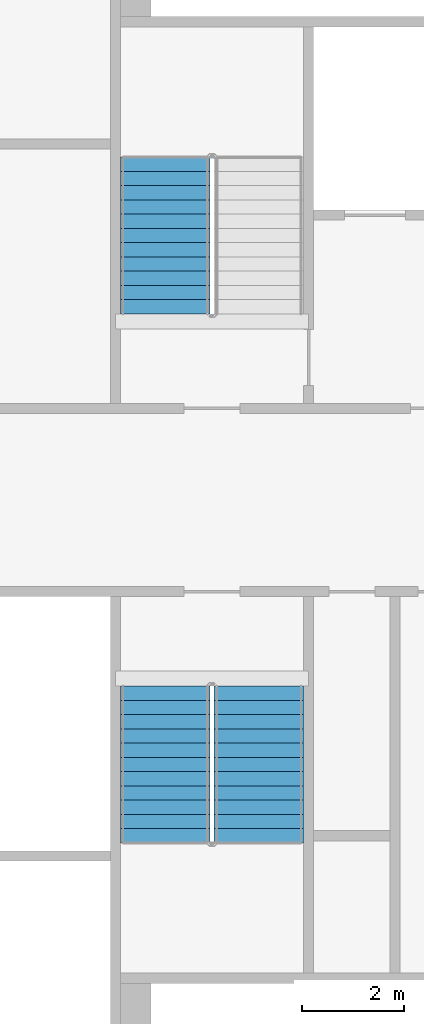
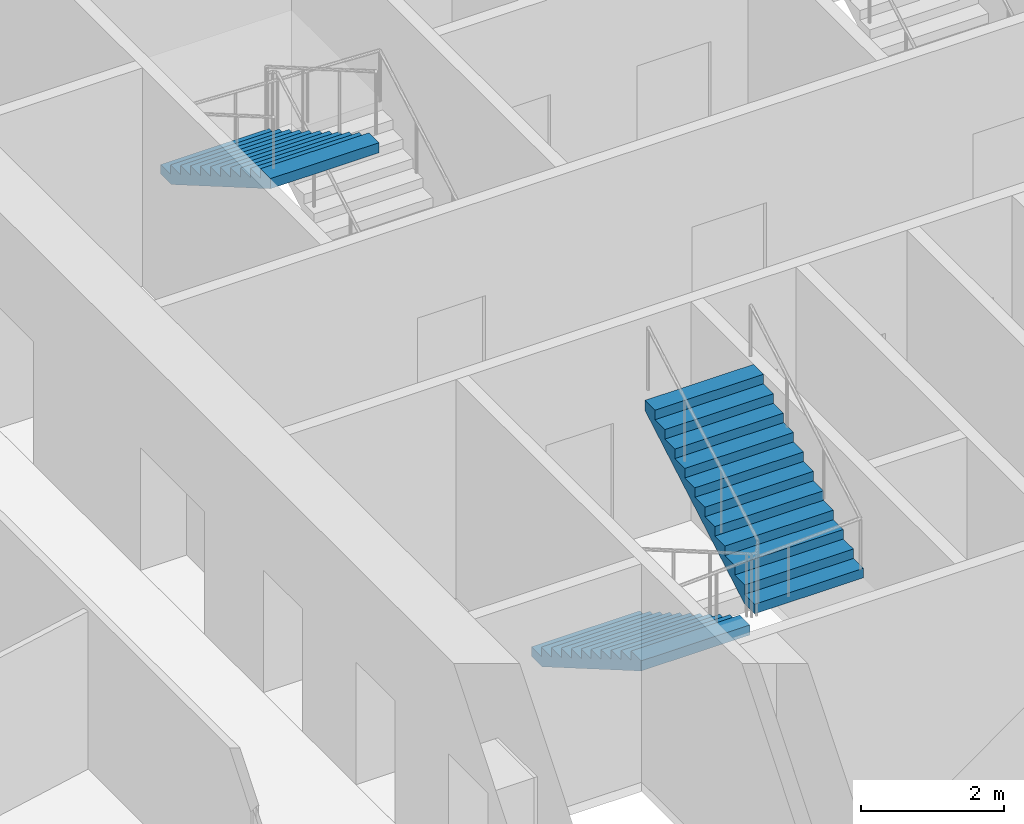
# One storey, part 14 of 22: 3 stair flights, 2 elements without a shape of their own.
"""IFC4 building model written with IfcOpenShell, lengths in metres."""

from ifc_helpers import new_model, si_unit, direction, frame, origin, place, context, subcontext, project, spatial, faceted_brep, material, type_object, element, aggregate, save


model = new_model("IFC4")

# Units and contexts
model_context = context("Model", 3, precision=1e-05, world=origin(), true_north=direction((0.0, 1.0)))
body_context = subcontext(model_context, "Body", "Model", "MODEL_VIEW")
ifc_project = project(units=[si_unit("LENGTHUNIT", "METRE"), si_unit("AREAUNIT", "SQUARE_METRE"), si_unit("VOLUMEUNIT", "CUBIC_METRE"), si_unit("PLANEANGLEUNIT", "RADIAN"), si_unit("MASSUNIT", "GRAM", prefix="KILO")], contexts=[model_context])

# Site, building, storey
site_placement = place(None, origin())
site = spatial("IfcSite", under=ifc_project, at=site_placement, CompositionType="ELEMENT")
building_placement = place(site_placement, origin())
building = spatial("IfcBuilding", under=site, at=building_placement, Name="Tarsis Ring Headquarters", CompositionType="ELEMENT")
storey_placement = place(building_placement, frame((0.0, 0.0, 108.39990234375)))
storey = spatial("IfcBuildingStorey", under=building, at=storey_placement, Name="L24", CompositionType="ELEMENT", Elevation=108.39990234375)

# Stair, stair flight
ifc_material_1 = material(Name="Core stair 1760")
stair_type = type_object("IfcStairType", Name="Core stair 1760", PredefinedType="HALF_TURN_STAIR", material=ifc_material_1)
stair_1_placement = place(storey_placement, origin())
stair_1 = element("IfcStair", 1, at=stair_1_placement, inside=storey, type_object=stair_type, Name="L24 Firefighting stair", PredefinedType="HALF_TURN_STAIR")
ifc_material_2 = material(Name="Concrete C40/50", Category="concrete")
stair_flight_type = type_object("IfcStairFlightType", Name="Core stair flight 1760", PredefinedType="STRAIGHT", material=ifc_material_2)
stair_flight_1_placement = place(storey_placement, frame((-5.419921875, 6.739990234375, 1.9501953125), z_axis=(0.0, 0.0, 1.0), x_axis=(0.0, -1.0, 0.0)))
stair_flight_1 = element("IfcStairFlight", 2, at=stair_flight_1_placement, type_object=stair_flight_type, Name="Stair ST1 flight 2", NumberOfRisers=12, NumberOfTreads=11, PredefinedType="STRAIGHT", RiserHeight=0.1625, TreadLength=0.28, context=body_context, shape_type="Brep", body=[
    faceted_brep([(0.0, 0.8798828125, 0.0), (0.0, 0.8798828125, 0.16259765625), (0.280029296875, 0.8798828125, 0.16259765625), (0.280029296875, 0.8798828125, 0.324951171875), (0.56005859375, 0.8798828125, 0.324951171875), (0.56005859375, 0.8798828125, 0.487548828125), (0.840087890625, 0.8798828125, 0.487548828125), (0.840087890625, 0.8798828125, 0.64990234375), (1.1201171875, 0.8798828125, 0.64990234375), (1.1201171875, 0.8798828125, 0.8125), (1.39990234375, 0.8798828125, 0.8125), (1.39990234375, 0.8798828125, 0.97509765625), (1.679931640625, 0.8798828125, 0.97509765625), (1.679931640625, 0.8798828125, 1.137451171875), (1.9599609375, 0.8798828125, 1.137451171875), (1.9599609375, 0.8798828125, 1.300048828125), (2.239990234375, 0.8798828125, 1.300048828125), (2.239990234375, 0.8798828125, 1.46240234375), (2.52001953125, 0.8798828125, 1.46240234375), (2.52001953125, 0.8798828125, 1.625), (2.800048828125, 0.8798828125, 1.625), (2.800048828125, 0.8798828125, 1.78759765625), (3.080078125, 0.8798828125, 1.78759765625), (3.080078125, 0.8798828125, 1.6142578125), (0.298583984375, 0.8798828125, 0.0), (0.298583984375, -0.8798828125, 0.0), (3.080078125, -0.8798828125, 1.6142578125), (3.080078125, -0.8798828125, 1.78759765625), (2.800048828125, -0.8798828125, 1.78759765625), (2.800048828125, -0.8798828125, 1.625), (2.52001953125, -0.8798828125, 1.625), (2.52001953125, -0.8798828125, 1.46240234375), (2.239990234375, -0.8798828125, 1.46240234375), (2.239990234375, -0.8798828125, 1.300048828125), (1.9599609375, -0.8798828125, 1.300048828125), (1.9599609375, -0.8798828125, 1.137451171875), (1.679931640625, -0.8798828125, 1.137451171875), (1.679931640625, -0.8798828125, 0.97509765625), (1.39990234375, -0.8798828125, 0.97509765625), (1.39990234375, -0.8798828125, 0.8125), (1.1201171875, -0.8798828125, 0.8125), (1.1201171875, -0.8798828125, 0.64990234375), (0.840087890625, -0.8798828125, 0.64990234375), (0.840087890625, -0.8798828125, 0.487548828125), (0.56005859375, -0.8798828125, 0.487548828125), (0.56005859375, -0.8798828125, 0.324951171875), (0.280029296875, -0.8798828125, 0.324951171875), (0.280029296875, -0.8798828125, 0.16259765625), (0.0, -0.8798828125, 0.16259765625), (0.0, -0.8798828125, 0.0), (0.0, -0.43994140625, 0.16259765625), (0.0, -0.43994140625, 0.0), (0.0, 0.0, 0.16259765625), (0.0, 0.0, 0.0), (0.0, 0.43994140625, 0.16259765625), (0.0, 0.43994140625, 0.0), (0.280029296875, -0.43994140625, 0.16259765625), (0.280029296875, 0.0, 0.16259765625), (0.280029296875, 0.43994140625, 0.16259765625), (0.280029296875, -0.43994140625, 0.324951171875), (0.280029296875, 0.0, 0.324951171875), (0.280029296875, 0.43994140625, 0.324951171875), (0.56005859375, -0.43994140625, 0.324951171875), (0.56005859375, 0.0, 0.324951171875), (0.56005859375, 0.43994140625, 0.324951171875), (0.56005859375, -0.43994140625, 0.487548828125), (0.56005859375, 0.0, 0.487548828125), (0.56005859375, 0.43994140625, 0.487548828125), (0.840087890625, -0.43994140625, 0.487548828125), (0.840087890625, 0.0, 0.487548828125), (0.840087890625, 0.43994140625, 0.487548828125), (0.840087890625, -0.43994140625, 0.64990234375), (0.840087890625, 0.0, 0.64990234375), (0.840087890625, 0.43994140625, 0.64990234375), (1.1201171875, -0.43994140625, 0.64990234375), (1.1201171875, 0.0, 0.64990234375), (1.1201171875, 0.43994140625, 0.64990234375), (1.1201171875, -0.43994140625, 0.8125), (1.1201171875, 0.0, 0.8125), (1.1201171875, 0.43994140625, 0.8125), (1.39990234375, -0.43994140625, 0.8125), (1.39990234375, 0.0, 0.8125), (1.39990234375, 0.43994140625, 0.8125), (1.39990234375, -0.43994140625, 0.97509765625), (1.39990234375, 0.0, 0.97509765625), (1.39990234375, 0.43994140625, 0.97509765625), (1.679931640625, -0.43994140625, 0.97509765625), (1.679931640625, 0.0, 0.97509765625), (1.679931640625, 0.43994140625, 0.97509765625), (1.679931640625, -0.43994140625, 1.137451171875), (1.679931640625, 0.0, 1.137451171875), (1.679931640625, 0.43994140625, 1.137451171875), (1.9599609375, -0.43994140625, 1.137451171875), (1.9599609375, 0.0, 1.137451171875), (1.9599609375, 0.43994140625, 1.137451171875), (1.9599609375, -0.43994140625, 1.300048828125), (1.9599609375, 0.0, 1.300048828125), (1.9599609375, 0.43994140625, 1.300048828125), (2.239990234375, -0.43994140625, 1.300048828125), (2.239990234375, 0.0, 1.300048828125), (2.239990234375, 0.43994140625, 1.300048828125), (2.239990234375, -0.43994140625, 1.46240234375), (2.239990234375, 0.0, 1.46240234375), (2.239990234375, 0.43994140625, 1.46240234375), (2.52001953125, -0.43994140625, 1.46240234375), (2.52001953125, 0.0, 1.46240234375), (2.52001953125, 0.43994140625, 1.46240234375), (2.52001953125, -0.43994140625, 1.625), (2.52001953125, 0.0, 1.625), (2.52001953125, 0.43994140625, 1.625), (2.800048828125, -0.43994140625, 1.625), (2.800048828125, 0.0, 1.625), (2.800048828125, 0.43994140625, 1.625), (2.800048828125, -0.43994140625, 1.78759765625), (2.800048828125, 0.0, 1.78759765625), (2.800048828125, 0.43994140625, 1.78759765625), (3.080078125, -0.43994140625, 1.78759765625), (3.080078125, 0.0, 1.78759765625), (3.080078125, 0.43994140625, 1.78759765625), (3.080078125, -0.43994140625, 1.6142578125), (3.080078125, 0.0, 1.6142578125), (3.080078125, 0.43994140625, 1.6142578125), (0.298583984375, -0.43994140625, 0.0), (0.298583984375, 0.0, 0.0), (0.298583984375, 0.43994140625, 0.0)], [[[0, 1, 2, 3, 4, 5, 6, 7, 8, 9, 10, 11, 12, 13, 14, 15, 16, 17, 18, 19, 20, 21, 22, 23, 24]], [[25, 26, 27, 28, 29, 30, 31, 32, 33, 34, 35, 36, 37, 38, 39, 40, 41, 42, 43, 44, 45, 46, 47, 48, 49]], [[49, 48, 50, 51]], [[51, 50, 52, 53]], [[53, 52, 54, 55]], [[55, 54, 1, 0]], [[48, 47, 56, 50]], [[50, 56, 57, 52]], [[52, 57, 58, 54]], [[54, 58, 2, 1]], [[47, 46, 59, 56]], [[56, 59, 60, 57]], [[57, 60, 61, 58]], [[58, 61, 3, 2]], [[46, 45, 62, 59]], [[59, 62, 63, 60]], [[60, 63, 64, 61]], [[61, 64, 4, 3]], [[45, 44, 65, 62]], [[62, 65, 66, 63]], [[63, 66, 67, 64]], [[64, 67, 5, 4]], [[44, 43, 68, 65]], [[65, 68, 69, 66]], [[66, 69, 70, 67]], [[67, 70, 6, 5]], [[43, 42, 71, 68]], [[68, 71, 72, 69]], [[69, 72, 73, 70]], [[70, 73, 7, 6]], [[42, 41, 74, 71]], [[71, 74, 75, 72]], [[72, 75, 76, 73]], [[73, 76, 8, 7]], [[41, 40, 77, 74]], [[74, 77, 78, 75]], [[75, 78, 79, 76]], [[76, 79, 9, 8]], [[40, 39, 80, 77]], [[77, 80, 81, 78]], [[78, 81, 82, 79]], [[79, 82, 10, 9]], [[39, 38, 83, 80]], [[80, 83, 84, 81]], [[81, 84, 85, 82]], [[82, 85, 11, 10]], [[38, 37, 86, 83]], [[83, 86, 87, 84]], [[84, 87, 88, 85]], [[85, 88, 12, 11]], [[37, 36, 89, 86]], [[86, 89, 90, 87]], [[87, 90, 91, 88]], [[88, 91, 13, 12]], [[36, 35, 92, 89]], [[89, 92, 93, 90]], [[90, 93, 94, 91]], [[91, 94, 14, 13]], [[35, 34, 95, 92]], [[92, 95, 96, 93]], [[93, 96, 97, 94]], [[94, 97, 15, 14]], [[34, 33, 98, 95]], [[95, 98, 99, 96]], [[96, 99, 100, 97]], [[97, 100, 16, 15]], [[33, 32, 101, 98]], [[98, 101, 102, 99]], [[99, 102, 103, 100]], [[100, 103, 17, 16]], [[32, 31, 104, 101]], [[101, 104, 105, 102]], [[102, 105, 106, 103]], [[103, 106, 18, 17]], [[31, 30, 107, 104]], [[104, 107, 108, 105]], [[105, 108, 109, 106]], [[106, 109, 19, 18]], [[30, 29, 110, 107]], [[107, 110, 111, 108]], [[108, 111, 112, 109]], [[109, 112, 20, 19]], [[29, 28, 113, 110]], [[110, 113, 114, 111]], [[111, 114, 115, 112]], [[112, 115, 21, 20]], [[28, 27, 116, 113]], [[113, 116, 117, 114]], [[114, 117, 118, 115]], [[115, 118, 22, 21]], [[27, 26, 119, 116]], [[116, 119, 120, 117]], [[117, 120, 121, 118]], [[118, 121, 23, 22]], [[26, 25, 122, 119]], [[119, 122, 123, 120]], [[120, 123, 124, 121]], [[121, 124, 24, 23]], [[25, 49, 51, 122]], [[122, 51, 53, 123]], [[123, 53, 55, 124]], [[124, 55, 0, 24]]]),
])
aggregate(stair_1, [stair_flight_1])

# Stair, stair flights
stair_2_placement = place(storey_placement, origin())
stair_2 = element("IfcStair", 3, at=stair_2_placement, inside=storey, type_object=stair_type, Name="L24 Exit stair C", PredefinedType="HALF_TURN_STAIR")
stair_flight_2_placement = place(storey_placement, frame((-5.419921875, -3.659912109375, 0.0), z_axis=(0.0, 0.0, 1.0), x_axis=(0.0, -1.0, 0.0)))
stair_flight_2 = element("IfcStairFlight", 4, at=stair_flight_2_placement, type_object=stair_flight_type, Name="Stair ST3 flight 1", NumberOfRisers=12, NumberOfTreads=11, PredefinedType="STRAIGHT", RiserHeight=0.1625, TreadLength=0.28, context=body_context, shape_type="Brep", body=[
    faceted_brep([(0.0, 0.8798828125, 0.0), (0.0, 0.8798828125, 0.16259765625), (0.280029296875, 0.8798828125, 0.16259765625), (0.280029296875, 0.8798828125, 0.324951171875), (0.56005859375, 0.8798828125, 0.324951171875), (0.56005859375, 0.8798828125, 0.487548828125), (0.840087890625, 0.8798828125, 0.487548828125), (0.840087890625, 0.8798828125, 0.64990234375), (1.1201171875, 0.8798828125, 0.64990234375), (1.1201171875, 0.8798828125, 0.8125), (1.39990234375, 0.8798828125, 0.8125), (1.39990234375, 0.8798828125, 0.97509765625), (1.679931640625, 0.8798828125, 0.97509765625), (1.679931640625, 0.8798828125, 1.137451171875), (1.9599609375, 0.8798828125, 1.137451171875), (1.9599609375, 0.8798828125, 1.300048828125), (2.239990234375, 0.8798828125, 1.300048828125), (2.239990234375, 0.8798828125, 1.46240234375), (2.52001953125, 0.8798828125, 1.46240234375), (2.52001953125, 0.8798828125, 1.625), (2.800048828125, 0.8798828125, 1.625), (2.800048828125, 0.8798828125, 1.78759765625), (3.080078125, 0.8798828125, 1.78759765625), (3.080078125, 0.8798828125, 1.6142578125), (0.298583984375, 0.8798828125, 0.0), (0.298583984375, -0.8798828125, 0.0), (3.080078125, -0.8798828125, 1.6142578125), (3.080078125, -0.8798828125, 1.78759765625), (2.800048828125, -0.8798828125, 1.78759765625), (2.800048828125, -0.8798828125, 1.625), (2.52001953125, -0.8798828125, 1.625), (2.52001953125, -0.8798828125, 1.46240234375), (2.239990234375, -0.8798828125, 1.46240234375), (2.239990234375, -0.8798828125, 1.300048828125), (1.9599609375, -0.8798828125, 1.300048828125), (1.9599609375, -0.8798828125, 1.137451171875), (1.679931640625, -0.8798828125, 1.137451171875), (1.679931640625, -0.8798828125, 0.97509765625), (1.39990234375, -0.8798828125, 0.97509765625), (1.39990234375, -0.8798828125, 0.8125), (1.1201171875, -0.8798828125, 0.8125), (1.1201171875, -0.8798828125, 0.64990234375), (0.840087890625, -0.8798828125, 0.64990234375), (0.840087890625, -0.8798828125, 0.487548828125), (0.56005859375, -0.8798828125, 0.487548828125), (0.56005859375, -0.8798828125, 0.324951171875), (0.280029296875, -0.8798828125, 0.324951171875), (0.280029296875, -0.8798828125, 0.16259765625), (0.0, -0.8798828125, 0.16259765625), (0.0, -0.8798828125, 0.0), (0.0, -0.43994140625, 0.16259765625), (0.0, -0.43994140625, 0.0), (0.0, 0.0, 0.16259765625), (0.0, 0.0, 0.0), (0.0, 0.43994140625, 0.16259765625), (0.0, 0.43994140625, 0.0), (0.280029296875, -0.43994140625, 0.16259765625), (0.280029296875, 0.0, 0.16259765625), (0.280029296875, 0.43994140625, 0.16259765625), (0.280029296875, -0.43994140625, 0.324951171875), (0.280029296875, 0.0, 0.324951171875), (0.280029296875, 0.43994140625, 0.324951171875), (0.56005859375, -0.43994140625, 0.324951171875), (0.56005859375, 0.0, 0.324951171875), (0.56005859375, 0.43994140625, 0.324951171875), (0.56005859375, -0.43994140625, 0.487548828125), (0.56005859375, 0.0, 0.487548828125), (0.56005859375, 0.43994140625, 0.487548828125), (0.840087890625, -0.43994140625, 0.487548828125), (0.840087890625, 0.0, 0.487548828125), (0.840087890625, 0.43994140625, 0.487548828125), (0.840087890625, -0.43994140625, 0.64990234375), (0.840087890625, 0.0, 0.64990234375), (0.840087890625, 0.43994140625, 0.64990234375), (1.1201171875, -0.43994140625, 0.64990234375), (1.1201171875, 0.0, 0.64990234375), (1.1201171875, 0.43994140625, 0.64990234375), (1.1201171875, -0.43994140625, 0.8125), (1.1201171875, 0.0, 0.8125), (1.1201171875, 0.43994140625, 0.8125), (1.39990234375, -0.43994140625, 0.8125), (1.39990234375, 0.0, 0.8125), (1.39990234375, 0.43994140625, 0.8125), (1.39990234375, -0.43994140625, 0.97509765625), (1.39990234375, 0.0, 0.97509765625), (1.39990234375, 0.43994140625, 0.97509765625), (1.679931640625, -0.43994140625, 0.97509765625), (1.679931640625, 0.0, 0.97509765625), (1.679931640625, 0.43994140625, 0.97509765625), (1.679931640625, -0.43994140625, 1.137451171875), (1.679931640625, 0.0, 1.137451171875), (1.679931640625, 0.43994140625, 1.137451171875), (1.9599609375, -0.43994140625, 1.137451171875), (1.9599609375, 0.0, 1.137451171875), (1.9599609375, 0.43994140625, 1.137451171875), (1.9599609375, -0.43994140625, 1.300048828125), (1.9599609375, 0.0, 1.300048828125), (1.9599609375, 0.43994140625, 1.300048828125), (2.239990234375, -0.43994140625, 1.300048828125), (2.239990234375, 0.0, 1.300048828125), (2.239990234375, 0.43994140625, 1.300048828125), (2.239990234375, -0.43994140625, 1.46240234375), (2.239990234375, 0.0, 1.46240234375), (2.239990234375, 0.43994140625, 1.46240234375), (2.52001953125, -0.43994140625, 1.46240234375), (2.52001953125, 0.0, 1.46240234375), (2.52001953125, 0.43994140625, 1.46240234375), (2.52001953125, -0.43994140625, 1.625), (2.52001953125, 0.0, 1.625), (2.52001953125, 0.43994140625, 1.625), (2.800048828125, -0.43994140625, 1.625), (2.800048828125, 0.0, 1.625), (2.800048828125, 0.43994140625, 1.625), (2.800048828125, -0.43994140625, 1.78759765625), (2.800048828125, 0.0, 1.78759765625), (2.800048828125, 0.43994140625, 1.78759765625), (3.080078125, -0.43994140625, 1.78759765625), (3.080078125, 0.0, 1.78759765625), (3.080078125, 0.43994140625, 1.78759765625), (3.080078125, -0.43994140625, 1.6142578125), (3.080078125, 0.0, 1.6142578125), (3.080078125, 0.43994140625, 1.6142578125), (0.298583984375, -0.43994140625, 0.0), (0.298583984375, 0.0, 0.0), (0.298583984375, 0.43994140625, 0.0)], [[[0, 1, 2, 3, 4, 5, 6, 7, 8, 9, 10, 11, 12, 13, 14, 15, 16, 17, 18, 19, 20, 21, 22, 23, 24]], [[25, 26, 27, 28, 29, 30, 31, 32, 33, 34, 35, 36, 37, 38, 39, 40, 41, 42, 43, 44, 45, 46, 47, 48, 49]], [[49, 48, 50, 51]], [[51, 50, 52, 53]], [[53, 52, 54, 55]], [[55, 54, 1, 0]], [[48, 47, 56, 50]], [[50, 56, 57, 52]], [[52, 57, 58, 54]], [[54, 58, 2, 1]], [[47, 46, 59, 56]], [[56, 59, 60, 57]], [[57, 60, 61, 58]], [[58, 61, 3, 2]], [[46, 45, 62, 59]], [[59, 62, 63, 60]], [[60, 63, 64, 61]], [[61, 64, 4, 3]], [[45, 44, 65, 62]], [[62, 65, 66, 63]], [[63, 66, 67, 64]], [[64, 67, 5, 4]], [[44, 43, 68, 65]], [[65, 68, 69, 66]], [[66, 69, 70, 67]], [[67, 70, 6, 5]], [[43, 42, 71, 68]], [[68, 71, 72, 69]], [[69, 72, 73, 70]], [[70, 73, 7, 6]], [[42, 41, 74, 71]], [[71, 74, 75, 72]], [[72, 75, 76, 73]], [[73, 76, 8, 7]], [[41, 40, 77, 74]], [[74, 77, 78, 75]], [[75, 78, 79, 76]], [[76, 79, 9, 8]], [[40, 39, 80, 77]], [[77, 80, 81, 78]], [[78, 81, 82, 79]], [[79, 82, 10, 9]], [[39, 38, 83, 80]], [[80, 83, 84, 81]], [[81, 84, 85, 82]], [[82, 85, 11, 10]], [[38, 37, 86, 83]], [[83, 86, 87, 84]], [[84, 87, 88, 85]], [[85, 88, 12, 11]], [[37, 36, 89, 86]], [[86, 89, 90, 87]], [[87, 90, 91, 88]], [[88, 91, 13, 12]], [[36, 35, 92, 89]], [[89, 92, 93, 90]], [[90, 93, 94, 91]], [[91, 94, 14, 13]], [[35, 34, 95, 92]], [[92, 95, 96, 93]], [[93, 96, 97, 94]], [[94, 97, 15, 14]], [[34, 33, 98, 95]], [[95, 98, 99, 96]], [[96, 99, 100, 97]], [[97, 100, 16, 15]], [[33, 32, 101, 98]], [[98, 101, 102, 99]], [[99, 102, 103, 100]], [[100, 103, 17, 16]], [[32, 31, 104, 101]], [[101, 104, 105, 102]], [[102, 105, 106, 103]], [[103, 106, 18, 17]], [[31, 30, 107, 104]], [[104, 107, 108, 105]], [[105, 108, 109, 106]], [[106, 109, 19, 18]], [[30, 29, 110, 107]], [[107, 110, 111, 108]], [[108, 111, 112, 109]], [[109, 112, 20, 19]], [[29, 28, 113, 110]], [[110, 113, 114, 111]], [[111, 114, 115, 112]], [[112, 115, 21, 20]], [[28, 27, 116, 113]], [[113, 116, 117, 114]], [[114, 117, 118, 115]], [[115, 118, 22, 21]], [[27, 26, 119, 116]], [[116, 119, 120, 117]], [[117, 120, 121, 118]], [[118, 121, 23, 22]], [[26, 25, 122, 119]], [[119, 122, 123, 120]], [[120, 123, 124, 121]], [[121, 124, 24, 23]], [[25, 49, 51, 122]], [[122, 51, 53, 123]], [[123, 53, 55, 124]], [[124, 55, 0, 24]]]),
])
stair_flight_3_placement = place(storey_placement, frame((-3.580078125, -6.739990234375, 1.9501953125), z_axis=(0.0, 0.0, 1.0), x_axis=(0.0, 1.0, 0.0)))
stair_flight_3 = element("IfcStairFlight", 5, at=stair_flight_3_placement, type_object=stair_flight_type, Name="Stair ST3 flight 2", NumberOfRisers=12, NumberOfTreads=11, PredefinedType="STRAIGHT", RiserHeight=0.1625, TreadLength=0.28, context=body_context, shape_type="Brep", body=[
    faceted_brep([(0.0, 0.8798828125, 0.0), (0.0, 0.8798828125, 0.16259765625), (0.280029296875, 0.8798828125, 0.16259765625), (0.280029296875, 0.8798828125, 0.324951171875), (0.56005859375, 0.8798828125, 0.324951171875), (0.56005859375, 0.8798828125, 0.487548828125), (0.840087890625, 0.8798828125, 0.487548828125), (0.840087890625, 0.8798828125, 0.64990234375), (1.1201171875, 0.8798828125, 0.64990234375), (1.1201171875, 0.8798828125, 0.8125), (1.39990234375, 0.8798828125, 0.8125), (1.39990234375, 0.8798828125, 0.97509765625), (1.679931640625, 0.8798828125, 0.97509765625), (1.679931640625, 0.8798828125, 1.137451171875), (1.9599609375, 0.8798828125, 1.137451171875), (1.9599609375, 0.8798828125, 1.300048828125), (2.239990234375, 0.8798828125, 1.300048828125), (2.239990234375, 0.8798828125, 1.46240234375), (2.52001953125, 0.8798828125, 1.46240234375), (2.52001953125, 0.8798828125, 1.625), (2.800048828125, 0.8798828125, 1.625), (2.800048828125, 0.8798828125, 1.78759765625), (3.080078125, 0.8798828125, 1.78759765625), (3.080078125, 0.8798828125, 1.6142578125), (0.298583984375, 0.8798828125, 0.0), (0.298583984375, -0.8798828125, 0.0), (3.080078125, -0.8798828125, 1.6142578125), (3.080078125, -0.8798828125, 1.78759765625), (2.800048828125, -0.8798828125, 1.78759765625), (2.800048828125, -0.8798828125, 1.625), (2.52001953125, -0.8798828125, 1.625), (2.52001953125, -0.8798828125, 1.46240234375), (2.239990234375, -0.8798828125, 1.46240234375), (2.239990234375, -0.8798828125, 1.300048828125), (1.9599609375, -0.8798828125, 1.300048828125), (1.9599609375, -0.8798828125, 1.137451171875), (1.679931640625, -0.8798828125, 1.137451171875), (1.679931640625, -0.8798828125, 0.97509765625), (1.39990234375, -0.8798828125, 0.97509765625), (1.39990234375, -0.8798828125, 0.8125), (1.1201171875, -0.8798828125, 0.8125), (1.1201171875, -0.8798828125, 0.64990234375), (0.840087890625, -0.8798828125, 0.64990234375), (0.840087890625, -0.8798828125, 0.487548828125), (0.56005859375, -0.8798828125, 0.487548828125), (0.56005859375, -0.8798828125, 0.324951171875), (0.280029296875, -0.8798828125, 0.324951171875), (0.280029296875, -0.8798828125, 0.16259765625), (0.0, -0.8798828125, 0.16259765625), (0.0, -0.8798828125, 0.0), (0.0, -0.43994140625, 0.16259765625), (0.0, -0.43994140625, 0.0), (0.0, 0.0, 0.16259765625), (0.0, 0.0, 0.0), (0.0, 0.43994140625, 0.16259765625), (0.0, 0.43994140625, 0.0), (0.280029296875, -0.43994140625, 0.16259765625), (0.280029296875, 0.0, 0.16259765625), (0.280029296875, 0.43994140625, 0.16259765625), (0.280029296875, -0.43994140625, 0.324951171875), (0.280029296875, 0.0, 0.324951171875), (0.280029296875, 0.43994140625, 0.324951171875), (0.56005859375, -0.43994140625, 0.324951171875), (0.56005859375, 0.0, 0.324951171875), (0.56005859375, 0.43994140625, 0.324951171875), (0.56005859375, -0.43994140625, 0.487548828125), (0.56005859375, 0.0, 0.487548828125), (0.56005859375, 0.43994140625, 0.487548828125), (0.840087890625, -0.43994140625, 0.487548828125), (0.840087890625, 0.0, 0.487548828125), (0.840087890625, 0.43994140625, 0.487548828125), (0.840087890625, -0.43994140625, 0.64990234375), (0.840087890625, 0.0, 0.64990234375), (0.840087890625, 0.43994140625, 0.64990234375), (1.1201171875, -0.43994140625, 0.64990234375), (1.1201171875, 0.0, 0.64990234375), (1.1201171875, 0.43994140625, 0.64990234375), (1.1201171875, -0.43994140625, 0.8125), (1.1201171875, 0.0, 0.8125), (1.1201171875, 0.43994140625, 0.8125), (1.39990234375, -0.43994140625, 0.8125), (1.39990234375, 0.0, 0.8125), (1.39990234375, 0.43994140625, 0.8125), (1.39990234375, -0.43994140625, 0.97509765625), (1.39990234375, 0.0, 0.97509765625), (1.39990234375, 0.43994140625, 0.97509765625), (1.679931640625, -0.43994140625, 0.97509765625), (1.679931640625, 0.0, 0.97509765625), (1.679931640625, 0.43994140625, 0.97509765625), (1.679931640625, -0.43994140625, 1.137451171875), (1.679931640625, 0.0, 1.137451171875), (1.679931640625, 0.43994140625, 1.137451171875), (1.9599609375, -0.43994140625, 1.137451171875), (1.9599609375, 0.0, 1.137451171875), (1.9599609375, 0.43994140625, 1.137451171875), (1.9599609375, -0.43994140625, 1.300048828125), (1.9599609375, 0.0, 1.300048828125), (1.9599609375, 0.43994140625, 1.300048828125), (2.239990234375, -0.43994140625, 1.300048828125), (2.239990234375, 0.0, 1.300048828125), (2.239990234375, 0.43994140625, 1.300048828125), (2.239990234375, -0.43994140625, 1.46240234375), (2.239990234375, 0.0, 1.46240234375), (2.239990234375, 0.43994140625, 1.46240234375), (2.52001953125, -0.43994140625, 1.46240234375), (2.52001953125, 0.0, 1.46240234375), (2.52001953125, 0.43994140625, 1.46240234375), (2.52001953125, -0.43994140625, 1.625), (2.52001953125, 0.0, 1.625), (2.52001953125, 0.43994140625, 1.625), (2.800048828125, -0.43994140625, 1.625), (2.800048828125, 0.0, 1.625), (2.800048828125, 0.43994140625, 1.625), (2.800048828125, -0.43994140625, 1.78759765625), (2.800048828125, 0.0, 1.78759765625), (2.800048828125, 0.43994140625, 1.78759765625), (3.080078125, -0.43994140625, 1.78759765625), (3.080078125, 0.0, 1.78759765625), (3.080078125, 0.43994140625, 1.78759765625), (3.080078125, -0.43994140625, 1.6142578125), (3.080078125, 0.0, 1.6142578125), (3.080078125, 0.43994140625, 1.6142578125), (0.298583984375, -0.43994140625, 0.0), (0.298583984375, 0.0, 0.0), (0.298583984375, 0.43994140625, 0.0)], [[[0, 1, 2, 3, 4, 5, 6, 7, 8, 9, 10, 11, 12, 13, 14, 15, 16, 17, 18, 19, 20, 21, 22, 23, 24]], [[25, 26, 27, 28, 29, 30, 31, 32, 33, 34, 35, 36, 37, 38, 39, 40, 41, 42, 43, 44, 45, 46, 47, 48, 49]], [[49, 48, 50, 51]], [[51, 50, 52, 53]], [[53, 52, 54, 55]], [[55, 54, 1, 0]], [[48, 47, 56, 50]], [[50, 56, 57, 52]], [[52, 57, 58, 54]], [[54, 58, 2, 1]], [[47, 46, 59, 56]], [[56, 59, 60, 57]], [[57, 60, 61, 58]], [[58, 61, 3, 2]], [[46, 45, 62, 59]], [[59, 62, 63, 60]], [[60, 63, 64, 61]], [[61, 64, 4, 3]], [[45, 44, 65, 62]], [[62, 65, 66, 63]], [[63, 66, 67, 64]], [[64, 67, 5, 4]], [[44, 43, 68, 65]], [[65, 68, 69, 66]], [[66, 69, 70, 67]], [[67, 70, 6, 5]], [[43, 42, 71, 68]], [[68, 71, 72, 69]], [[69, 72, 73, 70]], [[70, 73, 7, 6]], [[42, 41, 74, 71]], [[71, 74, 75, 72]], [[72, 75, 76, 73]], [[73, 76, 8, 7]], [[41, 40, 77, 74]], [[74, 77, 78, 75]], [[75, 78, 79, 76]], [[76, 79, 9, 8]], [[40, 39, 80, 77]], [[77, 80, 81, 78]], [[78, 81, 82, 79]], [[79, 82, 10, 9]], [[39, 38, 83, 80]], [[80, 83, 84, 81]], [[81, 84, 85, 82]], [[82, 85, 11, 10]], [[38, 37, 86, 83]], [[83, 86, 87, 84]], [[84, 87, 88, 85]], [[85, 88, 12, 11]], [[37, 36, 89, 86]], [[86, 89, 90, 87]], [[87, 90, 91, 88]], [[88, 91, 13, 12]], [[36, 35, 92, 89]], [[89, 92, 93, 90]], [[90, 93, 94, 91]], [[91, 94, 14, 13]], [[35, 34, 95, 92]], [[92, 95, 96, 93]], [[93, 96, 97, 94]], [[94, 97, 15, 14]], [[34, 33, 98, 95]], [[95, 98, 99, 96]], [[96, 99, 100, 97]], [[97, 100, 16, 15]], [[33, 32, 101, 98]], [[98, 101, 102, 99]], [[99, 102, 103, 100]], [[100, 103, 17, 16]], [[32, 31, 104, 101]], [[101, 104, 105, 102]], [[102, 105, 106, 103]], [[103, 106, 18, 17]], [[31, 30, 107, 104]], [[104, 107, 108, 105]], [[105, 108, 109, 106]], [[106, 109, 19, 18]], [[30, 29, 110, 107]], [[107, 110, 111, 108]], [[108, 111, 112, 109]], [[109, 112, 20, 19]], [[29, 28, 113, 110]], [[110, 113, 114, 111]], [[111, 114, 115, 112]], [[112, 115, 21, 20]], [[28, 27, 116, 113]], [[113, 116, 117, 114]], [[114, 117, 118, 115]], [[115, 118, 22, 21]], [[27, 26, 119, 116]], [[116, 119, 120, 117]], [[117, 120, 121, 118]], [[118, 121, 23, 22]], [[26, 25, 122, 119]], [[119, 122, 123, 120]], [[120, 123, 124, 121]], [[121, 124, 24, 23]], [[25, 49, 51, 122]], [[122, 51, 53, 123]], [[123, 53, 55, 124]], [[124, 55, 0, 24]]]),
])
aggregate(stair_2, [stair_flight_2, stair_flight_3])

save(model, "model.ifc")
